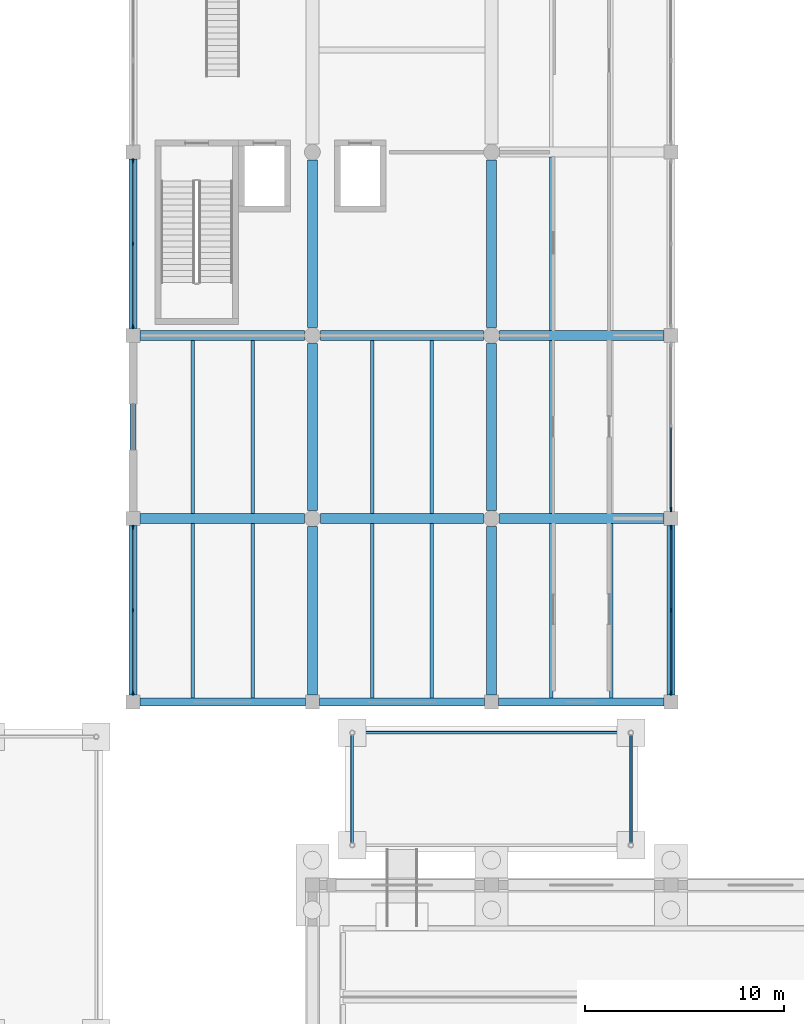
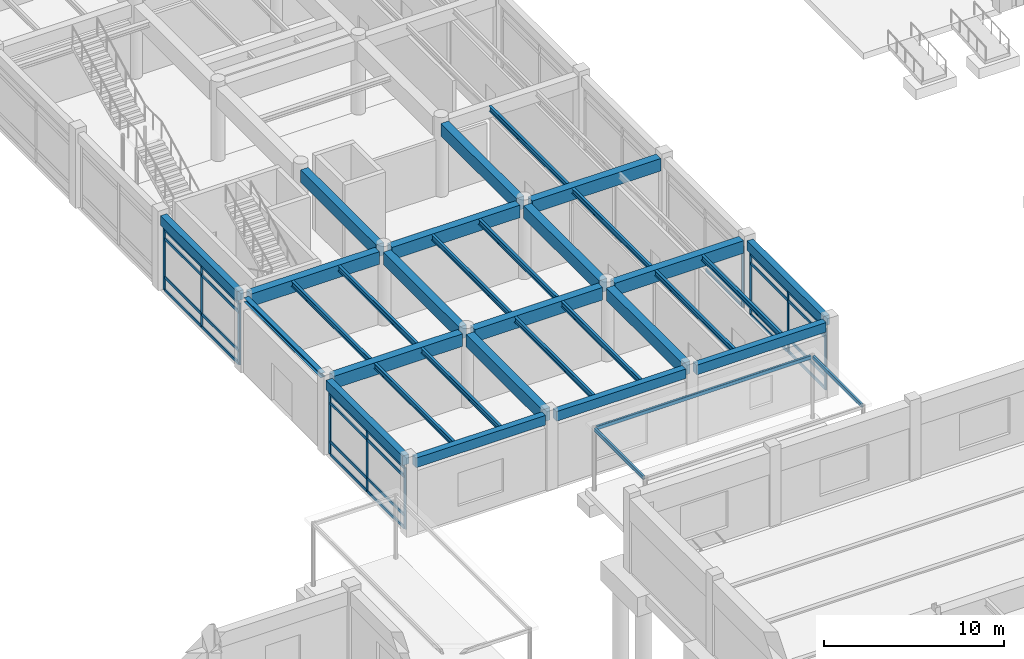
# One storey, part 28 of 76: 39 members, 31 beams, 4 elements without a shape of their own.
"""IFC4 building model written with IfcOpenShell, lengths in metres."""

from ifc_helpers import new_model, si_unit, direction, frame, origin, origin_2d, place, context, subcontext, project, spatial, rectangle, hollow_rectangle, i_section, extrude, material, material_profile, profile_set, type_object, element, aggregate, save


model = new_model("IFC4")

# Units and contexts
model_context = context("Model", 3, precision=1e-05, world=origin(), true_north=direction((0.0, 1.0)))
body_context = subcontext(model_context, "Body", "Model", "MODEL_VIEW")
ifc_project = project(units=[si_unit("LENGTHUNIT", "METRE"), si_unit("AREAUNIT", "SQUARE_METRE"), si_unit("VOLUMEUNIT", "CUBIC_METRE"), si_unit("PLANEANGLEUNIT", "RADIAN"), si_unit("MASSUNIT", "GRAM", prefix="KILO")], contexts=[model_context])

# Site, building, storey
site_placement = place(None, origin())
site = spatial("IfcSite", under=ifc_project, at=site_placement, CompositionType="ELEMENT")
building_placement = place(site_placement, origin())
building = spatial("IfcBuilding", under=site, at=building_placement, Name="Bozkorgan Art Gallery", CompositionType="ELEMENT")
storey_placement = place(building_placement, origin())
storey = spatial("IfcBuildingStorey", under=building, at=storey_placement, Name="L00", CompositionType="ELEMENT", Elevation=0.0)

# Beams
ifc_material_1 = material(Name="Concrete C35/45", Category="concrete")
ifc_material_profile_1 = material_profile(ifc_material_1, rectangle(XDim=0.5, YDim=0.85009765625, at=origin_2d()), Name="RC 500x850")
ifc_profile_set_1 = profile_set([ifc_material_profile_1], Name="Concrete C35/45")
beam_type_1 = type_object("IfcBeamType", Name="BEAM-BM-01", PredefinedType="BEAM", material=ifc_profile_set_1)
beam_1_placement = place(storey_placement, frame((74.35009765625, 47.60009765625, 4.635009765625), z_axis=(1.0, 0.0, 0.0), x_axis=(0.0, 1.0, 0.0)))
element("IfcBeam", 1, at=beam_1_placement, inside=storey, type_object=beam_type_1, Name="V4 L00 beam X (74-83, 47.6)", PredefinedType="BEAM", context=body_context, shape_type="SweptSolid", body=[
    extrude(rectangle(XDim=0.5, YDim=0.85009765625, at=origin_2d()), origin(), (0.0, 0.0, 1.0), 8.25),
])
beam_2_placement = place(storey_placement, frame((83.39990234375, 47.60009765625, 4.635009765625), z_axis=(1.0, 0.0, 0.0), x_axis=(0.0, 1.0, 0.0)))
element("IfcBeam", 2, at=beam_2_placement, inside=storey, type_object=beam_type_1, Name="V4 L00 beam X (83-92, 47.6)", PredefinedType="BEAM", context=body_context, shape_type="SweptSolid", body=[
    extrude(rectangle(XDim=0.5, YDim=0.85009765625, at=origin_2d()), origin(), (0.0, 0.0, 1.0), 8.2001953125),
])
for number, where, z_axis, x_axis, name in (
    (3, (92.39990234375, 47.60009765625, 4.635009765625), (1.0, 0.0, 0.0), (0.0, 1.0, 0.0), "V4 L00 beam X (92-101, 47.6)"),
    (4, (74.35009765625, 56.800048828125, 4.635009765625), (1.0, 0.0, 0.0), (0.0, 1.0, 0.0), "V4 L00 beam X (74-83, 56.8)"),
):
    element("IfcBeam", number, at=place(storey_placement, frame(where, z_axis=z_axis, x_axis=x_axis)), inside=storey, type_object=beam_type_1, Name=name, PredefinedType="BEAM", context=body_context, shape_type="SweptSolid", body=[
        extrude(rectangle(XDim=0.5, YDim=0.85009765625, at=origin_2d()), origin(), (0.0, 0.0, 1.0), 8.25),
    ])
beam_3_placement = place(storey_placement, frame((83.39990234375, 56.800048828125, 4.635009765625), z_axis=(1.0, 0.0, 0.0), x_axis=(0.0, 1.0, 0.0)))
element("IfcBeam", 5, at=beam_3_placement, inside=storey, type_object=beam_type_1, Name="V4 L00 beam X (83-92, 56.8)", PredefinedType="BEAM", context=body_context, shape_type="SweptSolid", body=[
    extrude(rectangle(XDim=0.5, YDim=0.85009765625, at=origin_2d()), origin(), (0.0, 0.0, 1.0), 8.2001953125),
])
beam_4_placement = place(storey_placement, frame((92.39990234375, 56.800048828125, 4.635009765625), z_axis=(1.0, 0.0, 0.0), x_axis=(0.0, 1.0, 0.0)))
element("IfcBeam", 6, at=beam_4_placement, inside=storey, type_object=beam_type_1, Name="V4 L00 beam X (92-101, 56.8)", PredefinedType="BEAM", context=body_context, shape_type="SweptSolid", body=[
    extrude(rectangle(XDim=0.5, YDim=0.85009765625, at=origin_2d()), origin(), (0.0, 0.0, 1.0), 8.25),
])
beam_5_placement = place(storey_placement, frame((83.0, 38.75, 4.635009765625), z_axis=(0.0, 1.0, 0.0), x_axis=(-1.0, 0.0, 0.0)))
element("IfcBeam", 7, at=beam_5_placement, inside=storey, type_object=beam_type_1, Name="V4 L00 beam Y (83, 38.4-47.6)", PredefinedType="BEAM", context=body_context, shape_type="SweptSolid", body=[
    extrude(rectangle(XDim=0.5, YDim=0.85009765625, at=origin_2d()), origin(), (0.0, 0.0, 1.0), 8.449951171875),
])
beam_6_placement = place(storey_placement, frame((83.0, 48.0, 4.635009765625), z_axis=(0.0, 1.0, 0.0), x_axis=(-1.0, 0.0, 0.0)))
element("IfcBeam", 8, at=beam_6_placement, inside=storey, type_object=beam_type_1, Name="V4 L00 beam Y (83, 47.6-56.8)", PredefinedType="BEAM", context=body_context, shape_type="SweptSolid", body=[
    extrude(rectangle(XDim=0.5, YDim=0.85009765625, at=origin_2d()), origin(), (0.0, 0.0, 1.0), 8.39990234375),
])
beam_7_placement = place(storey_placement, frame((83.0, 57.199951171875, 4.635009765625), z_axis=(0.0, 1.0, 0.0), x_axis=(-1.0, 0.0, 0.0)))
element("IfcBeam", 9, at=beam_7_placement, inside=storey, type_object=beam_type_1, Name="V4 L00 beam Y (83, 56.8-66.0)", PredefinedType="BEAM", context=body_context, shape_type="SweptSolid", body=[
    extrude(rectangle(XDim=0.5, YDim=0.85009765625, at=origin_2d()), origin(), (0.0, 0.0, 1.0), 8.400146484375),
])
beam_8_placement = place(storey_placement, frame((92.0, 38.75, 4.635009765625), z_axis=(0.0, 1.0, 0.0), x_axis=(-1.0, 0.0, 0.0)))
element("IfcBeam", 10, at=beam_8_placement, inside=storey, type_object=beam_type_1, Name="V4 L00 beam Y (92, 38.4-47.6)", PredefinedType="BEAM", context=body_context, shape_type="SweptSolid", body=[
    extrude(rectangle(XDim=0.5, YDim=0.85009765625, at=origin_2d()), origin(), (0.0, 0.0, 1.0), 8.449951171875),
])
beam_9_placement = place(storey_placement, frame((92.0, 48.0, 4.635009765625), z_axis=(0.0, 1.0, 0.0), x_axis=(-1.0, 0.0, 0.0)))
element("IfcBeam", 11, at=beam_9_placement, inside=storey, type_object=beam_type_1, Name="V4 L00 beam Y (92, 47.6-56.8)", PredefinedType="BEAM", context=body_context, shape_type="SweptSolid", body=[
    extrude(rectangle(XDim=0.5, YDim=0.85009765625, at=origin_2d()), origin(), (0.0, 0.0, 1.0), 8.39990234375),
])
beam_10_placement = place(storey_placement, frame((92.0, 57.199951171875, 4.635009765625), z_axis=(0.0, 1.0, 0.0), x_axis=(-1.0, 0.0, 0.0)))
element("IfcBeam", 12, at=beam_10_placement, inside=storey, type_object=beam_type_1, Name="V4 L00 beam Y (92, 56.8-66.0)", PredefinedType="BEAM", context=body_context, shape_type="SweptSolid", body=[
    extrude(rectangle(XDim=0.5, YDim=0.85009765625, at=origin_2d()), origin(), (0.0, 0.0, 1.0), 8.400146484375),
])
ifc_material_2 = material(Name="Steel S355J2", Category="steel")
ifc_material_profile_2 = material_profile(ifc_material_2, i_section(OverallWidth=0.169921875, OverallDepth=0.360107421875, WebThickness=0.008056640625, FlangeThickness=0.0126953125, FilletRadius=0.01806640625, at=origin_2d()), Name="IPE 360")
ifc_profile_set_2 = profile_set([ifc_material_profile_2], Name="Steel S355J2")
beam_type_2 = type_object("IfcBeamType", Name="BEAM-JS-98", PredefinedType="JOIST", material=ifc_profile_set_2)
for number, where, z_axis, x_axis, name in (
    (13, (77.0, 38.60009765625, 4.8798828125), (0.0, 1.0, 0.0), (-1.0, 0.0, 0.0), "V4 L00 secondary joist (74-83, 38.4-47.6) #1"),
    (14, (80.0, 38.60009765625, 4.8798828125), (0.0, 1.0, 0.0), (-1.0, 0.0, 0.0), "V4 L00 secondary joist (74-83, 38.4-47.6) #2"),
):
    element("IfcBeam", number, at=place(storey_placement, frame(where, z_axis=z_axis, x_axis=x_axis)), inside=storey, type_object=beam_type_2, Name=name, PredefinedType="JOIST", context=body_context, shape_type="SweptSolid", body=[
        extrude(i_section(OverallWidth=0.169921875, OverallDepth=0.360107421875, WebThickness=0.008056640625, FlangeThickness=0.0126953125, FilletRadius=0.01806640625, at=origin_2d()), origin(), (0.0, 0.0, 1.0), 8.75),
    ])
for number, where, z_axis, x_axis, name in (
    (15, (77.0, 47.85009765625, 4.8798828125), (0.0, 1.0, 0.0), (-1.0, 0.0, 0.0), "V4 L00 secondary joist (74-83, 47.6-56.8) #1"),
    (16, (80.0, 47.85009765625, 4.8798828125), (0.0, 1.0, 0.0), (-1.0, 0.0, 0.0), "V4 L00 secondary joist (74-83, 47.6-56.8) #2"),
):
    element("IfcBeam", number, at=place(storey_placement, frame(where, z_axis=z_axis, x_axis=x_axis)), inside=storey, type_object=beam_type_2, Name=name, PredefinedType="JOIST", context=body_context, shape_type="SweptSolid", body=[
        extrude(i_section(OverallWidth=0.169921875, OverallDepth=0.360107421875, WebThickness=0.008056640625, FlangeThickness=0.0126953125, FilletRadius=0.01806640625, at=origin_2d()), origin(), (0.0, 0.0, 1.0), 8.699951171875),
    ])
for number, where, z_axis, x_axis, name in (
    (17, (86.0, 38.60009765625, 4.8798828125), (0.0, 1.0, 0.0), (-1.0, 0.0, 0.0), "V4 L00 secondary joist (83-92, 38.4-47.6) #1"),
    (18, (89.0, 38.60009765625, 4.8798828125), (0.0, 1.0, 0.0), (-1.0, 0.0, 0.0), "V4 L00 secondary joist (83-92, 38.4-47.6) #2"),
):
    element("IfcBeam", number, at=place(storey_placement, frame(where, z_axis=z_axis, x_axis=x_axis)), inside=storey, type_object=beam_type_2, Name=name, PredefinedType="JOIST", context=body_context, shape_type="SweptSolid", body=[
        extrude(i_section(OverallWidth=0.169921875, OverallDepth=0.360107421875, WebThickness=0.008056640625, FlangeThickness=0.0126953125, FilletRadius=0.01806640625, at=origin_2d()), origin(), (0.0, 0.0, 1.0), 8.75),
    ])
for number, where, z_axis, x_axis, name in (
    (19, (86.0, 47.85009765625, 4.8798828125), (0.0, 1.0, 0.0), (-1.0, 0.0, 0.0), "V4 L00 secondary joist (83-92, 47.6-56.8) #1"),
    (20, (89.0, 47.85009765625, 4.8798828125), (0.0, 1.0, 0.0), (-1.0, 0.0, 0.0), "V4 L00 secondary joist (83-92, 47.6-56.8) #2"),
):
    element("IfcBeam", number, at=place(storey_placement, frame(where, z_axis=z_axis, x_axis=x_axis)), inside=storey, type_object=beam_type_2, Name=name, PredefinedType="JOIST", context=body_context, shape_type="SweptSolid", body=[
        extrude(i_section(OverallWidth=0.169921875, OverallDepth=0.360107421875, WebThickness=0.008056640625, FlangeThickness=0.0126953125, FilletRadius=0.01806640625, at=origin_2d()), origin(), (0.0, 0.0, 1.0), 8.699951171875),
    ])
for number, where, z_axis, x_axis, name in (
    (21, (95.0, 38.60009765625, 4.8798828125), (0.0, 1.0, 0.0), (-1.0, 0.0, 0.0), "V4 L00 secondary joist (92-101, 38.4-47.6) #1"),
    (22, (98.0, 38.60009765625, 4.8798828125), (0.0, 1.0, 0.0), (-1.0, 0.0, 0.0), "V4 L00 secondary joist (92-101, 38.4-47.6) #2"),
):
    element("IfcBeam", number, at=place(storey_placement, frame(where, z_axis=z_axis, x_axis=x_axis)), inside=storey, type_object=beam_type_2, Name=name, PredefinedType="JOIST", context=body_context, shape_type="SweptSolid", body=[
        extrude(i_section(OverallWidth=0.169921875, OverallDepth=0.360107421875, WebThickness=0.008056640625, FlangeThickness=0.0126953125, FilletRadius=0.01806640625, at=origin_2d()), origin(), (0.0, 0.0, 1.0), 8.75),
    ])
for number, where, z_axis, x_axis, name in (
    (23, (95.0, 47.85009765625, 4.8798828125), (0.0, 1.0, 0.0), (-1.0, 0.0, 0.0), "V4 L00 secondary joist (92-101, 47.6-56.8) #1"),
    (24, (95.0, 57.050048828125, 4.8798828125), (0.0, 1.0, 0.0), (-1.0, 0.0, 0.0), "V4 L00 secondary joist (92-101, 56.8-66.0) #1"),
):
    element("IfcBeam", number, at=place(storey_placement, frame(where, z_axis=z_axis, x_axis=x_axis)), inside=storey, type_object=beam_type_2, Name=name, PredefinedType="JOIST", context=body_context, shape_type="SweptSolid", body=[
        extrude(i_section(OverallWidth=0.169921875, OverallDepth=0.360107421875, WebThickness=0.008056640625, FlangeThickness=0.0126953125, FilletRadius=0.01806640625, at=origin_2d()), origin(), (0.0, 0.0, 1.0), 8.699951171875),
    ])
ifc_material_profile_3 = material_profile(ifc_material_2, i_section(OverallWidth=0.300048828125, OverallDepth=0.2900390625, WebThickness=0.008544921875, FlangeThickness=0.013916015625, FilletRadius=0.027099609375, at=origin_2d()), Name="HEA 300")
ifc_profile_set_3 = profile_set([ifc_material_profile_3], Name="Steel S355J2")
beam_type_3 = type_object("IfcBeamType", Name="BEAM-LN-10", PredefinedType="LINTEL", material=ifc_profile_set_3)
beam_11_placement = place(storey_placement, frame((74.0, 47.949951171875, 4.9150390625), z_axis=(0.0, 1.0, 0.0), x_axis=(-1.0, 0.0, 0.0)))
element("IfcBeam", 25, at=beam_11_placement, inside=storey, type_object=beam_type_3, Name="V4 L00 lintel Y (74, 47.6-56.8)", PredefinedType="LINTEL", context=body_context, shape_type="SweptSolid", body=[
    extrude(i_section(OverallWidth=0.300048828125, OverallDepth=0.2900390625, WebThickness=0.008544921875, FlangeThickness=0.013916015625, FilletRadius=0.027099609375, at=origin_2d()), origin(), (0.0, 0.0, 1.0), 8.5),
])
ifc_material_profile_4 = material_profile(ifc_material_1, rectangle(XDim=0.39990234375, YDim=0.64990234375, at=origin_2d()), Name="RC 400x650")
ifc_profile_set_4 = profile_set([ifc_material_profile_4], Name="Concrete C35/45")
beam_type_4 = type_object("IfcBeamType", Name="BEAM-SP-69", PredefinedType="SPANDREL", material=ifc_profile_set_4)
for number, where, z_axis, x_axis, name in (
    (26, (74.35009765625, 38.39990234375, 4.735107421875), (1.0, 0.0, 0.0), (0.0, 1.0, 0.0), "V4 L00 spandrel X (74-83, 38.4)"),
    (27, (83.35009765625, 38.39990234375, 4.735107421875), (1.0, 0.0, 0.0), (0.0, 1.0, 0.0), "V4 L00 spandrel X (83-92, 38.4)"),
    (28, (92.35009765625, 38.39990234375, 4.735107421875), (1.0, 0.0, 0.0), (0.0, 1.0, 0.0), "V4 L00 spandrel X (92-101, 38.4)"),
):
    element("IfcBeam", number, at=place(storey_placement, frame(where, z_axis=z_axis, x_axis=x_axis)), inside=storey, type_object=beam_type_4, Name=name, PredefinedType="SPANDREL", context=body_context, shape_type="SweptSolid", body=[
        extrude(rectangle(XDim=0.39990234375, YDim=0.64990234375, at=origin_2d()), origin(), (0.0, 0.0, 1.0), 8.2998046875),
    ])
for number, where, z_axis, x_axis, name in (
    (29, (74.0, 38.75, 4.735107421875), (0.0, 1.0, 0.0), (-1.0, 0.0, 0.0), "V4 L00 spandrel Y (74, 38.4-47.6)"),
    (30, (74.0, 57.14990234375, 4.735107421875), (0.0, 1.0, 0.0), (-1.0, 0.0, 0.0), "V4 L00 spandrel Y (74, 56.8-66.0)"),
    (31, (101.0, 38.75, 4.735107421875), (0.0, 1.0, 0.0), (-1.0, 0.0, 0.0), "V4 L00 spandrel Y (101, 38.4-47.6)"),
):
    element("IfcBeam", number, at=place(storey_placement, frame(where, z_axis=z_axis, x_axis=x_axis)), inside=storey, type_object=beam_type_4, Name=name, PredefinedType="SPANDREL", context=body_context, shape_type="SweptSolid", body=[
        extrude(rectangle(XDim=0.39990234375, YDim=0.64990234375, at=origin_2d()), origin(), (0.0, 0.0, 1.0), 8.5),
    ])

# Curtain wall, members
ifc_material_3 = material(Name="Anodised Bronze Aluminium", Category="aluminium")
curtain_wall_type = type_object("IfcCurtainWallType", Name="CW-CW-87", PredefinedType="NOTDEFINED", material=ifc_material_3)
curtain_wall_1_placement = place(storey_placement, origin())
curtain_wall_1 = element("IfcCurtainWall", 32, at=curtain_wall_1_placement, inside=storey, type_object=curtain_wall_type, Name="L00 unitised curtain wall CW-V4-L00-1W-07", PredefinedType="NOTDEFINED")
ifc_material_profile_5 = material_profile(ifc_material_3, rectangle(XDim=0.074951171875, YDim=0.219970703125, at=origin_2d()), Name="ALU MULLION 75x220")
ifc_profile_set_5 = profile_set([ifc_material_profile_5], Name="Anodised Bronze Aluminium")
member_type_1 = type_object("IfcMemberType", Name="CWM-02", PredefinedType="MULLION", material=ifc_profile_set_5)
member_1_placement = place(storey_placement, frame((74.0, 38.8525390625, 0.02001953125), z_axis=(0.0, 0.0, 1.0), x_axis=(-1.0, 0.0, 0.0)))
member_1 = element("IfcMember", 33, at=member_1_placement, type_object=member_type_1, Name="CW-87 mullion 1", PredefinedType="MULLION", context=body_context, shape_type="SweptSolid", body=[
    extrude(rectangle(XDim=0.074951171875, YDim=0.219970703125, at=origin_2d()), origin(), (0.0, 0.0, 1.0), 4.175048828125),
])
member_2_placement = place(storey_placement, frame((74.0, 43.0, 0.02001953125), z_axis=(0.0, 0.0, 1.0), x_axis=(-1.0, 0.0, 0.0)))
member_2 = element("IfcMember", 34, at=member_2_placement, type_object=member_type_1, Name="CW-87 mullion 2", PredefinedType="MULLION", context=body_context, shape_type="SweptSolid", body=[
    extrude(rectangle(XDim=0.074951171875, YDim=0.219970703125, at=origin_2d()), origin(), (0.0, 0.0, 1.0), 4.175048828125),
])
member_3_placement = place(storey_placement, frame((74.0, 47.1474609375, 0.02001953125), z_axis=(0.0, 0.0, 1.0), x_axis=(-1.0, 0.0, 0.0)))
member_3 = element("IfcMember", 35, at=member_3_placement, type_object=member_type_1, Name="CW-87 mullion 3", PredefinedType="MULLION", context=body_context, shape_type="SweptSolid", body=[
    extrude(rectangle(XDim=0.074951171875, YDim=0.219970703125, at=origin_2d()), origin(), (0.0, 0.0, 1.0), 4.175048828125),
])

curtain_wall_2_placement = place(storey_placement, origin())
curtain_wall_2 = element("IfcCurtainWall", 36, at=curtain_wall_2_placement, inside=storey, type_object=curtain_wall_type, Name="L00 unitised curtain wall CW-V4-L00-1E-08", PredefinedType="NOTDEFINED")
member_4_placement = place(storey_placement, frame((101.0, 38.8525390625, 0.02001953125), z_axis=(0.0, 0.0, 1.0), x_axis=(-1.0, 0.0, 0.0)))
member_4 = element("IfcMember", 37, at=member_4_placement, type_object=member_type_1, Name="CW-87 mullion 1", PredefinedType="MULLION", context=body_context, shape_type="SweptSolid", body=[
    extrude(rectangle(XDim=0.074951171875, YDim=0.219970703125, at=origin_2d()), origin(), (0.0, 0.0, 1.0), 4.175048828125),
])
member_5_placement = place(storey_placement, frame((101.0, 43.0, 0.02001953125), z_axis=(0.0, 0.0, 1.0), x_axis=(-1.0, 0.0, 0.0)))
member_5 = element("IfcMember", 38, at=member_5_placement, type_object=member_type_1, Name="CW-87 mullion 2", PredefinedType="MULLION", context=body_context, shape_type="SweptSolid", body=[
    extrude(rectangle(XDim=0.074951171875, YDim=0.219970703125, at=origin_2d()), origin(), (0.0, 0.0, 1.0), 4.175048828125),
])
member_6_placement = place(storey_placement, frame((101.0, 47.1474609375, 0.02001953125), z_axis=(0.0, 0.0, 1.0), x_axis=(-1.0, 0.0, 0.0)))
member_6 = element("IfcMember", 39, at=member_6_placement, type_object=member_type_1, Name="CW-87 mullion 3", PredefinedType="MULLION", context=body_context, shape_type="SweptSolid", body=[
    extrude(rectangle(XDim=0.074951171875, YDim=0.219970703125, at=origin_2d()), origin(), (0.0, 0.0, 1.0), 4.175048828125),
])

# Curtain wall, member
curtain_wall_3_placement = place(storey_placement, origin())
curtain_wall_3 = element("IfcCurtainWall", 40, at=curtain_wall_3_placement, inside=storey, type_object=curtain_wall_type, Name="L00 unitised curtain wall CW-V4-L00-1E-10", PredefinedType="NOTDEFINED")
member_7_placement = place(storey_placement, frame((101.0, 48.052490234375, 0.02001953125), z_axis=(0.0, 0.0, 1.0), x_axis=(-1.0, 0.0, 0.0)))
member_7 = element("IfcMember", 41, at=member_7_placement, type_object=member_type_1, Name="CW-87 mullion 1", PredefinedType="MULLION", context=body_context, shape_type="SweptSolid", body=[
    extrude(rectangle(XDim=0.074951171875, YDim=0.219970703125, at=origin_2d()), origin(), (0.0, 0.0, 1.0), 4.175048828125),
])

# Curtain wall, members
curtain_wall_4_placement = place(storey_placement, origin())
curtain_wall_4 = element("IfcCurtainWall", 42, at=curtain_wall_4_placement, inside=storey, type_object=curtain_wall_type, Name="L00 unitised curtain wall CW-V4-L00-1W-11", PredefinedType="NOTDEFINED")
member_8_placement = place(storey_placement, frame((74.0, 57.25244140625, 0.02001953125), z_axis=(0.0, 0.0, 1.0), x_axis=(-1.0, 0.0, 0.0)))
member_8 = element("IfcMember", 43, at=member_8_placement, type_object=member_type_1, Name="CW-87 mullion 1", PredefinedType="MULLION", context=body_context, shape_type="SweptSolid", body=[
    extrude(rectangle(XDim=0.074951171875, YDim=0.219970703125, at=origin_2d()), origin(), (0.0, 0.0, 1.0), 4.175048828125),
])
member_9_placement = place(storey_placement, frame((74.0, 61.39990234375, 0.02001953125), z_axis=(0.0, 0.0, 1.0), x_axis=(-1.0, 0.0, 0.0)))
member_9 = element("IfcMember", 44, at=member_9_placement, type_object=member_type_1, Name="CW-87 mullion 2", PredefinedType="MULLION", context=body_context, shape_type="SweptSolid", body=[
    extrude(rectangle(XDim=0.074951171875, YDim=0.219970703125, at=origin_2d()), origin(), (0.0, 0.0, 1.0), 4.175048828125),
])
member_10_placement = place(storey_placement, frame((74.0, 65.547607421875, 0.02001953125), z_axis=(0.0, 0.0, 1.0), x_axis=(-1.0, 0.0, 0.0)))
member_10 = element("IfcMember", 45, at=member_10_placement, type_object=member_type_1, Name="CW-87 mullion 3", PredefinedType="MULLION", context=body_context, shape_type="SweptSolid", body=[
    extrude(rectangle(XDim=0.074951171875, YDim=0.219970703125, at=origin_2d()), origin(), (0.0, 0.0, 1.0), 4.175048828125),
])

# Member
ifc_material_profile_6 = material_profile(ifc_material_3, rectangle(XDim=0.080078125, YDim=0.199951171875, at=origin_2d()), Name="ALU TRANSOM 80x200")
ifc_profile_set_6 = profile_set([ifc_material_profile_6], Name="Anodised Bronze Aluminium")
member_type_2 = type_object("IfcMemberType", Name="CWT-03", PredefinedType="USERDEFINED", material=ifc_profile_set_6)
member_11_placement = place(storey_placement, frame((74.0, 38.889892578125, 0.06005859375), z_axis=(0.0, 1.0, 0.0), x_axis=(-1.0, 0.0, 0.0)))
member_11 = element("IfcMember", 46, at=member_11_placement, type_object=member_type_2, Name="CW-87 transom 1.1", ObjectType="TRANSOM", PredefinedType="USERDEFINED", context=body_context, shape_type="SweptSolid", body=[
    extrude(rectangle(XDim=0.080078125, YDim=0.199951171875, at=origin_2d()), origin(), (0.0, 0.0, 1.0), 4.072509765625),
])

member_12_placement = place(storey_placement, frame((74.0, 38.889892578125, 0.919921875), z_axis=(0.0, 1.0, 0.0), x_axis=(-1.0, 0.0, 0.0)))
member_12 = element("IfcMember", 47, at=member_12_placement, type_object=member_type_2, Name="CW-87 transom 1.2", ObjectType="TRANSOM", PredefinedType="USERDEFINED", context=body_context, shape_type="SweptSolid", body=[
    extrude(rectangle(XDim=0.080078125, YDim=0.199951171875, at=origin_2d()), origin(), (0.0, 0.0, 1.0), 4.072509765625),
])

member_13_placement = place(storey_placement, frame((74.0, 38.889892578125, 3.544921875), z_axis=(0.0, 1.0, 0.0), x_axis=(-1.0, 0.0, 0.0)))
member_13 = element("IfcMember", 48, at=member_13_placement, type_object=member_type_2, Name="CW-87 transom 1.3", ObjectType="TRANSOM", PredefinedType="USERDEFINED", context=body_context, shape_type="SweptSolid", body=[
    extrude(rectangle(XDim=0.080078125, YDim=0.199951171875, at=origin_2d()), origin(), (0.0, 0.0, 1.0), 4.072509765625),
])

member_14_placement = place(storey_placement, frame((74.0, 38.889892578125, 4.155029296875), z_axis=(0.0, 1.0, 0.0), x_axis=(-1.0, 0.0, 0.0)))
member_14 = element("IfcMember", 49, at=member_14_placement, type_object=member_type_2, Name="CW-87 transom 1.4", ObjectType="TRANSOM", PredefinedType="USERDEFINED", context=body_context, shape_type="SweptSolid", body=[
    extrude(rectangle(XDim=0.080078125, YDim=0.199951171875, at=origin_2d()), origin(), (0.0, 0.0, 1.0), 4.072509765625),
])

member_15_placement = place(storey_placement, frame((74.0, 43.03759765625, 0.06005859375), z_axis=(0.0, 1.0, 0.0), x_axis=(-1.0, 0.0, 0.0)))
member_15 = element("IfcMember", 50, at=member_15_placement, type_object=member_type_2, Name="CW-87 transom 2.1", ObjectType="TRANSOM", PredefinedType="USERDEFINED", context=body_context, shape_type="SweptSolid", body=[
    extrude(rectangle(XDim=0.080078125, YDim=0.199951171875, at=origin_2d()), origin(), (0.0, 0.0, 1.0), 4.072509765625),
])

member_16_placement = place(storey_placement, frame((74.0, 43.03759765625, 0.919921875), z_axis=(0.0, 1.0, 0.0), x_axis=(-1.0, 0.0, 0.0)))
member_16 = element("IfcMember", 51, at=member_16_placement, type_object=member_type_2, Name="CW-87 transom 2.2", ObjectType="TRANSOM", PredefinedType="USERDEFINED", context=body_context, shape_type="SweptSolid", body=[
    extrude(rectangle(XDim=0.080078125, YDim=0.199951171875, at=origin_2d()), origin(), (0.0, 0.0, 1.0), 4.072509765625),
])

member_17_placement = place(storey_placement, frame((74.0, 43.03759765625, 3.544921875), z_axis=(0.0, 1.0, 0.0), x_axis=(-1.0, 0.0, 0.0)))
member_17 = element("IfcMember", 52, at=member_17_placement, type_object=member_type_2, Name="CW-87 transom 2.3", ObjectType="TRANSOM", PredefinedType="USERDEFINED", context=body_context, shape_type="SweptSolid", body=[
    extrude(rectangle(XDim=0.080078125, YDim=0.199951171875, at=origin_2d()), origin(), (0.0, 0.0, 1.0), 4.072509765625),
])

member_18_placement = place(storey_placement, frame((74.0, 43.03759765625, 4.155029296875), z_axis=(0.0, 1.0, 0.0), x_axis=(-1.0, 0.0, 0.0)))
member_18 = element("IfcMember", 53, at=member_18_placement, type_object=member_type_2, Name="CW-87 transom 2.4", ObjectType="TRANSOM", PredefinedType="USERDEFINED", context=body_context, shape_type="SweptSolid", body=[
    extrude(rectangle(XDim=0.080078125, YDim=0.199951171875, at=origin_2d()), origin(), (0.0, 0.0, 1.0), 4.072509765625),
])

aggregate(curtain_wall_1, [member_1, member_2, member_3, member_11, member_12, member_13, member_14, member_15, member_16, member_17, member_18])

member_19_placement = place(storey_placement, frame((101.0, 38.889892578125, 0.06005859375), z_axis=(0.0, 1.0, 0.0), x_axis=(-1.0, 0.0, 0.0)))
member_19 = element("IfcMember", 54, at=member_19_placement, type_object=member_type_2, Name="CW-87 transom 1.1", ObjectType="TRANSOM", PredefinedType="USERDEFINED", context=body_context, shape_type="SweptSolid", body=[
    extrude(rectangle(XDim=0.080078125, YDim=0.199951171875, at=origin_2d()), origin(), (0.0, 0.0, 1.0), 4.072509765625),
])

member_20_placement = place(storey_placement, frame((101.0, 38.889892578125, 0.919921875), z_axis=(0.0, 1.0, 0.0), x_axis=(-1.0, 0.0, 0.0)))
member_20 = element("IfcMember", 55, at=member_20_placement, type_object=member_type_2, Name="CW-87 transom 1.2", ObjectType="TRANSOM", PredefinedType="USERDEFINED", context=body_context, shape_type="SweptSolid", body=[
    extrude(rectangle(XDim=0.080078125, YDim=0.199951171875, at=origin_2d()), origin(), (0.0, 0.0, 1.0), 4.072509765625),
])

member_21_placement = place(storey_placement, frame((101.0, 38.889892578125, 3.544921875), z_axis=(0.0, 1.0, 0.0), x_axis=(-1.0, 0.0, 0.0)))
member_21 = element("IfcMember", 56, at=member_21_placement, type_object=member_type_2, Name="CW-87 transom 1.3", ObjectType="TRANSOM", PredefinedType="USERDEFINED", context=body_context, shape_type="SweptSolid", body=[
    extrude(rectangle(XDim=0.080078125, YDim=0.199951171875, at=origin_2d()), origin(), (0.0, 0.0, 1.0), 4.072509765625),
])

member_22_placement = place(storey_placement, frame((101.0, 38.889892578125, 4.155029296875), z_axis=(0.0, 1.0, 0.0), x_axis=(-1.0, 0.0, 0.0)))
member_22 = element("IfcMember", 57, at=member_22_placement, type_object=member_type_2, Name="CW-87 transom 1.4", ObjectType="TRANSOM", PredefinedType="USERDEFINED", context=body_context, shape_type="SweptSolid", body=[
    extrude(rectangle(XDim=0.080078125, YDim=0.199951171875, at=origin_2d()), origin(), (0.0, 0.0, 1.0), 4.072509765625),
])

member_23_placement = place(storey_placement, frame((101.0, 43.03759765625, 0.06005859375), z_axis=(0.0, 1.0, 0.0), x_axis=(-1.0, 0.0, 0.0)))
member_23 = element("IfcMember", 58, at=member_23_placement, type_object=member_type_2, Name="CW-87 transom 2.1", ObjectType="TRANSOM", PredefinedType="USERDEFINED", context=body_context, shape_type="SweptSolid", body=[
    extrude(rectangle(XDim=0.080078125, YDim=0.199951171875, at=origin_2d()), origin(), (0.0, 0.0, 1.0), 4.072509765625),
])

member_24_placement = place(storey_placement, frame((101.0, 43.03759765625, 0.919921875), z_axis=(0.0, 1.0, 0.0), x_axis=(-1.0, 0.0, 0.0)))
member_24 = element("IfcMember", 59, at=member_24_placement, type_object=member_type_2, Name="CW-87 transom 2.2", ObjectType="TRANSOM", PredefinedType="USERDEFINED", context=body_context, shape_type="SweptSolid", body=[
    extrude(rectangle(XDim=0.080078125, YDim=0.199951171875, at=origin_2d()), origin(), (0.0, 0.0, 1.0), 4.072509765625),
])

member_25_placement = place(storey_placement, frame((101.0, 43.03759765625, 3.544921875), z_axis=(0.0, 1.0, 0.0), x_axis=(-1.0, 0.0, 0.0)))
member_25 = element("IfcMember", 60, at=member_25_placement, type_object=member_type_2, Name="CW-87 transom 2.3", ObjectType="TRANSOM", PredefinedType="USERDEFINED", context=body_context, shape_type="SweptSolid", body=[
    extrude(rectangle(XDim=0.080078125, YDim=0.199951171875, at=origin_2d()), origin(), (0.0, 0.0, 1.0), 4.072509765625),
])

member_26_placement = place(storey_placement, frame((101.0, 43.03759765625, 4.155029296875), z_axis=(0.0, 1.0, 0.0), x_axis=(-1.0, 0.0, 0.0)))
member_26 = element("IfcMember", 61, at=member_26_placement, type_object=member_type_2, Name="CW-87 transom 2.4", ObjectType="TRANSOM", PredefinedType="USERDEFINED", context=body_context, shape_type="SweptSolid", body=[
    extrude(rectangle(XDim=0.080078125, YDim=0.199951171875, at=origin_2d()), origin(), (0.0, 0.0, 1.0), 4.072509765625),
])

aggregate(curtain_wall_2, [member_4, member_5, member_6, member_19, member_20, member_21, member_22, member_23, member_24, member_25, member_26])

member_27_placement = place(storey_placement, frame((101.0, 48.090087890625, 0.06005859375), z_axis=(0.0, 1.0, 0.0), x_axis=(-1.0, 0.0, 0.0)))
member_27 = element("IfcMember", 62, at=member_27_placement, type_object=member_type_2, Name="CW-87 transom 1.1", ObjectType="TRANSOM", PredefinedType="USERDEFINED", context=body_context, shape_type="SweptSolid", body=[
    extrude(rectangle(XDim=0.080078125, YDim=0.199951171875, at=origin_2d()), origin(), (0.0, 0.0, 1.0), 4.072509765625),
])

member_28_placement = place(storey_placement, frame((101.0, 48.090087890625, 0.919921875), z_axis=(0.0, 1.0, 0.0), x_axis=(-1.0, 0.0, 0.0)))
member_28 = element("IfcMember", 63, at=member_28_placement, type_object=member_type_2, Name="CW-87 transom 1.2", ObjectType="TRANSOM", PredefinedType="USERDEFINED", context=body_context, shape_type="SweptSolid", body=[
    extrude(rectangle(XDim=0.080078125, YDim=0.199951171875, at=origin_2d()), origin(), (0.0, 0.0, 1.0), 4.072509765625),
])

aggregate(curtain_wall_3, [member_7, member_27, member_28])

member_29_placement = place(storey_placement, frame((74.0, 57.2900390625, 0.06005859375), z_axis=(0.0, 1.0, 0.0), x_axis=(-1.0, 0.0, 0.0)))
member_29 = element("IfcMember", 64, at=member_29_placement, type_object=member_type_2, Name="CW-87 transom 1.1", ObjectType="TRANSOM", PredefinedType="USERDEFINED", context=body_context, shape_type="SweptSolid", body=[
    extrude(rectangle(XDim=0.080078125, YDim=0.199951171875, at=origin_2d()), origin(), (0.0, 0.0, 1.0), 4.072509765625),
])

member_30_placement = place(storey_placement, frame((74.0, 57.2900390625, 0.919921875), z_axis=(0.0, 1.0, 0.0), x_axis=(-1.0, 0.0, 0.0)))
member_30 = element("IfcMember", 65, at=member_30_placement, type_object=member_type_2, Name="CW-87 transom 1.2", ObjectType="TRANSOM", PredefinedType="USERDEFINED", context=body_context, shape_type="SweptSolid", body=[
    extrude(rectangle(XDim=0.080078125, YDim=0.199951171875, at=origin_2d()), origin(), (0.0, 0.0, 1.0), 4.072509765625),
])

member_31_placement = place(storey_placement, frame((74.0, 57.2900390625, 3.544921875), z_axis=(0.0, 1.0, 0.0), x_axis=(-1.0, 0.0, 0.0)))
member_31 = element("IfcMember", 66, at=member_31_placement, type_object=member_type_2, Name="CW-87 transom 1.3", ObjectType="TRANSOM", PredefinedType="USERDEFINED", context=body_context, shape_type="SweptSolid", body=[
    extrude(rectangle(XDim=0.080078125, YDim=0.199951171875, at=origin_2d()), origin(), (0.0, 0.0, 1.0), 4.072509765625),
])

member_32_placement = place(storey_placement, frame((74.0, 57.2900390625, 4.155029296875), z_axis=(0.0, 1.0, 0.0), x_axis=(-1.0, 0.0, 0.0)))
member_32 = element("IfcMember", 67, at=member_32_placement, type_object=member_type_2, Name="CW-87 transom 1.4", ObjectType="TRANSOM", PredefinedType="USERDEFINED", context=body_context, shape_type="SweptSolid", body=[
    extrude(rectangle(XDim=0.080078125, YDim=0.199951171875, at=origin_2d()), origin(), (0.0, 0.0, 1.0), 4.072509765625),
])

member_33_placement = place(storey_placement, frame((74.0, 61.4375, 0.06005859375), z_axis=(0.0, 1.0, 0.0), x_axis=(-1.0, 0.0, 0.0)))
member_33 = element("IfcMember", 68, at=member_33_placement, type_object=member_type_2, Name="CW-87 transom 2.1", ObjectType="TRANSOM", PredefinedType="USERDEFINED", context=body_context, shape_type="SweptSolid", body=[
    extrude(rectangle(XDim=0.080078125, YDim=0.199951171875, at=origin_2d()), origin(), (0.0, 0.0, 1.0), 4.072509765625),
])

member_34_placement = place(storey_placement, frame((74.0, 61.4375, 0.919921875), z_axis=(0.0, 1.0, 0.0), x_axis=(-1.0, 0.0, 0.0)))
member_34 = element("IfcMember", 69, at=member_34_placement, type_object=member_type_2, Name="CW-87 transom 2.2", ObjectType="TRANSOM", PredefinedType="USERDEFINED", context=body_context, shape_type="SweptSolid", body=[
    extrude(rectangle(XDim=0.080078125, YDim=0.199951171875, at=origin_2d()), origin(), (0.0, 0.0, 1.0), 4.072509765625),
])

member_35_placement = place(storey_placement, frame((74.0, 61.4375, 3.544921875), z_axis=(0.0, 1.0, 0.0), x_axis=(-1.0, 0.0, 0.0)))
member_35 = element("IfcMember", 70, at=member_35_placement, type_object=member_type_2, Name="CW-87 transom 2.3", ObjectType="TRANSOM", PredefinedType="USERDEFINED", context=body_context, shape_type="SweptSolid", body=[
    extrude(rectangle(XDim=0.080078125, YDim=0.199951171875, at=origin_2d()), origin(), (0.0, 0.0, 1.0), 4.072509765625),
])

member_36_placement = place(storey_placement, frame((74.0, 61.4375, 4.155029296875), z_axis=(0.0, 1.0, 0.0), x_axis=(-1.0, 0.0, 0.0)))
member_36 = element("IfcMember", 71, at=member_36_placement, type_object=member_type_2, Name="CW-87 transom 2.4", ObjectType="TRANSOM", PredefinedType="USERDEFINED", context=body_context, shape_type="SweptSolid", body=[
    extrude(rectangle(XDim=0.080078125, YDim=0.199951171875, at=origin_2d()), origin(), (0.0, 0.0, 1.0), 4.072509765625),
])

aggregate(curtain_wall_4, [member_8, member_9, member_10, member_29, member_30, member_31, member_32, member_33, member_34, member_35, member_36])

# Members
ifc_material_profile_7 = material_profile(ifc_material_2, hollow_rectangle(XDim=0.14990234375, YDim=0.25, WallThickness=0.010009765625, InnerFilletRadius=0.014892578125, OuterFilletRadius=0.02490234375, at=origin_2d()), Name="RHS 250x150x10")
ifc_profile_set_7 = profile_set([ifc_material_profile_7], Name="Steel S355J2")
member_type_3 = type_object("IfcMemberType", Name="MEMBER-WM-72", PredefinedType="CHORD", material=ifc_profile_set_7)
member_37_placement = place(storey_placement, frame((99.0, 31.320068359375, 4.175048828125), z_axis=(0.0, 1.0, 0.0), x_axis=(-1.0, 0.0, 0.0)))
element("IfcMember", 72, at=member_37_placement, inside=storey, type_object=member_type_3, Name="Auditorium Foyer Covered Walk PTFE sliding edge chord 2", PredefinedType="CHORD", context=body_context, shape_type="SweptSolid", body=[
    extrude(hollow_rectangle(XDim=0.14990234375, YDim=0.25, WallThickness=0.010009765625, InnerFilletRadius=0.014892578125, OuterFilletRadius=0.02490234375, at=origin_2d()), origin(), (0.0, 0.0, 1.0), 5.409912109375),
])
member_38_placement = place(storey_placement, frame((98.8798828125, 36.85009765625, 4.175048828125), z_axis=(-1.0, 0.0, 0.0), x_axis=(0.0, -1.0, 0.0)))
element("IfcMember", 73, at=member_38_placement, inside=storey, type_object=member_type_3, Name="Auditorium Foyer Covered Walk PTFE sliding edge chord 3", PredefinedType="CHORD", context=body_context, shape_type="SweptSolid", body=[
    extrude(hollow_rectangle(XDim=0.14990234375, YDim=0.25, WallThickness=0.010009765625, InnerFilletRadius=0.014892578125, OuterFilletRadius=0.02490234375, at=origin_2d()), origin(), (0.0, 0.0, 1.0), 13.759765625),
])
member_39_placement = place(storey_placement, frame((85.0, 36.72998046875, 4.175048828125), z_axis=(0.0, -1.0, 0.0), x_axis=(1.0, 0.0, 0.0)))
element("IfcMember", 74, at=member_39_placement, inside=storey, type_object=member_type_3, Name="Auditorium Foyer Covered Walk PTFE sliding edge chord 4", PredefinedType="CHORD", context=body_context, shape_type="SweptSolid", body=[
    extrude(hollow_rectangle(XDim=0.14990234375, YDim=0.25, WallThickness=0.010009765625, InnerFilletRadius=0.014892578125, OuterFilletRadius=0.02490234375, at=origin_2d()), origin(), (0.0, 0.0, 1.0), 5.409912109375),
])

save(model, "model.ifc")
